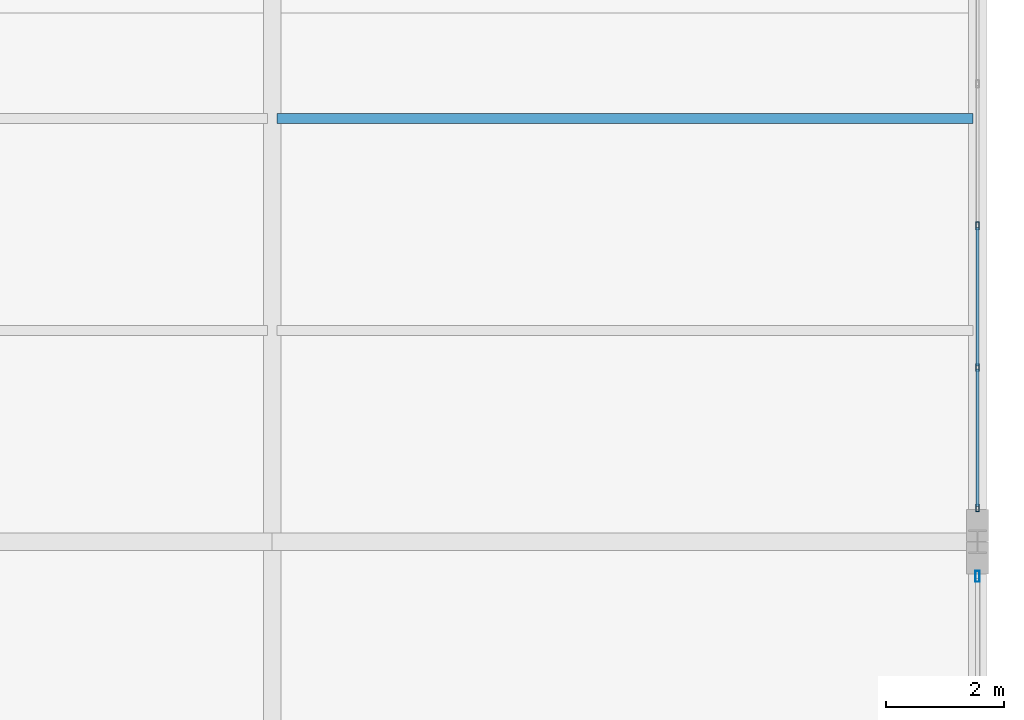
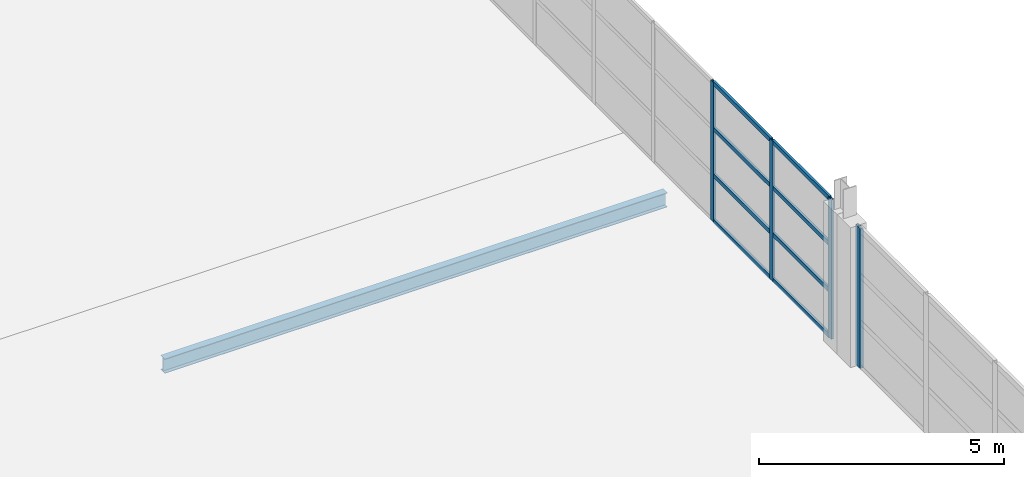
# One storey, part 85 of 158: 12 members, 1 beam, 2 elements without a shape of their own.
"""IFC4 building model written with IfcOpenShell, lengths in metres."""

import ifcopenshell
import ifcopenshell.guid

model = None  # the IFC model being written
_history = None  # IfcOwnerHistory: only IFC2X3 demands one
_inside = {}  # id of a spatial element -> (the spatial element, [elements in it])
_under = {}  # id of a project, library or spatial element -> (it, [spatial elements below it])
_declared = {}  # id of a project -> (the project, [libraries it declares])
_typed = {}  # id of a type object -> (the type object, [elements of that type])
_made_of = {}  # id of a material, layer set ... -> (it, [elements and type objects made of it])


def new_model(schema):
    """Start an empty IFC model of exactly this schema.

    Asked for "IFC4X3", IfcOpenShell would pick the latest addendum, in which some entities
    have other attributes; the version numbers below select the first issue.
    IFC2X3 requires an IfcOwnerHistory on every rooted entity: one is made here for all.
    """
    global model, _history
    if schema == "IFC4X3":
        model = ifcopenshell.file(schema_version=(4, 3, 0, 0))
    else:
        model = ifcopenshell.file(schema=schema)
    _inside.clear()
    _under.clear()
    _declared.clear()
    _typed.clear()
    _made_of.clear()
    _history = None
    if model.schema == "IFC2X3":
        org = make("IfcOrganization", Name="unknown")
        user = make(
            "IfcPersonAndOrganization",
            ThePerson=make("IfcPerson", FamilyName="unknown"),
            TheOrganization=org,
        )
        app = make(
            "IfcApplication",
            ApplicationDeveloper=org,
            Version="unknown",
            ApplicationFullName="unknown",
            ApplicationIdentifier="unknown",
        )
        _history = make(
            "IfcOwnerHistory",
            OwningUser=user,
            OwningApplication=app,
            ChangeAction="ADDED",
            CreationDate=0,
        )
    return model


def make(cls, **values):
    """One entity of the class cls with the attributes given. An attribute that is None is left unset."""
    return model.create_entity(
        cls, **{name: value for name, value in values.items() if value is not None}
    )


def rooted(cls, **values):
    """An entity with a GlobalId (a new one), such as an element, a storey or a relation."""
    return make(cls, GlobalId=ifcopenshell.guid.new(), OwnerHistory=_history, **values)


def si_unit(unit_type, name, prefix=None):
    """IfcSIUnit, for example si_unit("LENGTHUNIT", "METRE", prefix="MILLI")."""
    return make("IfcSIUnit", UnitType=unit_type, Prefix=prefix, Name=name)


def assignment(units):
    """IfcUnitAssignment: the units of a project."""
    return None if units is None else make("IfcUnitAssignment", Units=units)


def point(xyz):
    """IfcCartesianPoint."""
    return None if xyz is None else make("IfcCartesianPoint", Coordinates=xyz)


def direction(xyz):
    """IfcDirection."""
    return None if xyz is None else make("IfcDirection", DirectionRatios=xyz)


def frame(location, z_axis=None, x_axis=None):
    """IfcAxis2Placement3D, a coordinate frame: its origin and axes. An axis left out is left unset."""
    return make(
        "IfcAxis2Placement3D",
        Location=point(location),
        Axis=direction(z_axis),
        RefDirection=direction(x_axis),
    )


def frame_2d(location, x_axis=None):
    """IfcAxis2Placement2D, a coordinate frame in the plane: its origin and x axis."""
    return make(
        "IfcAxis2Placement2D", Location=point(location), RefDirection=direction(x_axis)
    )


def origin():
    """The frame at (0, 0, 0) with its axes left unset."""
    return frame((0.0, 0.0, 0.0))


def origin_2d():
    """The frame at (0, 0) in the plane with its x axis left unset."""
    return frame_2d((0.0, 0.0))


def place(relative_to, where):
    """IfcLocalPlacement: puts the frame where relative to a parent placement (None: the world)."""
    return make(
        "IfcLocalPlacement", PlacementRelTo=relative_to, RelativePlacement=where
    )


def context(
    kind, dimensions, precision=None, world=None, true_north=None, identifier=None
):
    """IfcGeometricRepresentationContext, for example the 3D "Model" context."""
    return make(
        "IfcGeometricRepresentationContext",
        ContextIdentifier=identifier,
        ContextType=kind,
        CoordinateSpaceDimension=dimensions,
        Precision=precision,
        WorldCoordinateSystem=world,
        TrueNorth=true_north,
    )


def subcontext(parent, identifier, kind, view, scale=None):
    """IfcGeometricRepresentationSubContext, for example "Body" below "Model"."""
    return make(
        "IfcGeometricRepresentationSubContext",
        ContextIdentifier=identifier,
        ContextType=kind,
        ParentContext=parent,
        TargetScale=scale,
        TargetView=view,
    )


def project(units=None, contexts=None):
    """IfcProject with its units and contexts."""
    return rooted(
        "IfcProject",
        Name="project",
        RepresentationContexts=contexts,
        UnitsInContext=assignment(units),
    )


def spatial(cls, under=None, at=None, **own):
    """A site, building, storey or space (cls), placed at a placement, below another one or the project."""
    s = rooted(cls, ObjectPlacement=at, **own)
    if under is not None:
        _under.setdefault(under.id(), (under, []))[1].append(s)
    return s


def profile(cls, at=None, kind="AREA", **sizes):
    """A parametric profile (cls). Its sizes go by their IFC names, for example OverallWidth=200.0."""
    return make(cls, ProfileType=kind, Position=at, **sizes)


def hollow_rectangle(**sizes):
    """IfcRectangleHollowProfileDef."""
    return profile("IfcRectangleHollowProfileDef", **sizes)


def i_section(**sizes):
    """IfcIShapeProfileDef."""
    return profile("IfcIShapeProfileDef", **sizes)


def extrude(swept, where, along, depth):
    """IfcExtrudedAreaSolid: the profile swept, set in the frame where, extruded along a direction by depth."""
    return make(
        "IfcExtrudedAreaSolid",
        SweptArea=swept,
        Position=where,
        ExtrudedDirection=direction(along),
        Depth=depth,
    )


def shape(context_of_items, identifier, shape_type, items):
    """IfcShapeRepresentation: the items that make up one representation, for example the "Body"."""
    return make(
        "IfcShapeRepresentation",
        ContextOfItems=context_of_items,
        RepresentationIdentifier=identifier,
        RepresentationType=shape_type,
        Items=items,
    )


def material(Name=None, Category=None):
    """IfcMaterial."""
    return make("IfcMaterial", Name=Name, Category=Category)


def layer(
    of_material, thickness, ventilated=None, Name=None, Category=None, Priority=None
):
    """IfcMaterialLayer: one layer of a wall or slab, of a material (None: an air gap)."""
    return make(
        "IfcMaterialLayer",
        Material=of_material,
        LayerThickness=thickness,
        IsVentilated=ventilated,
        Name=Name,
        Category=Category,
        Priority=Priority,
    )


def layer_set(layers, Name=None):
    """IfcMaterialLayerSet."""
    return make("IfcMaterialLayerSet", MaterialLayers=layers, LayerSetName=Name)


def material_profile(
    of_material, cross_section, Name=None, Category=None, Priority=None
):
    """IfcMaterialProfile: a cross section and its material."""
    return make(
        "IfcMaterialProfile",
        Name=Name,
        Material=of_material,
        Profile=cross_section,
        Priority=Priority,
        Category=Category,
    )


def profile_set(profiles, Name=None, composite=None):
    """IfcMaterialProfileSet."""
    return make(
        "IfcMaterialProfileSet",
        Name=Name,
        MaterialProfiles=profiles,
        CompositeProfile=composite,
    )


def made_of(thing, what):
    """Note that an element or type object is made of a material, layer set ...; save() writes the relation."""
    if what is not None:
        _made_of.setdefault(what.id(), (what, []))[1].append(thing)
    return thing


def type_object(cls, material=None, **own):
    """A type object (cls), such as IfcWallType, which elements share."""
    return made_of(rooted(cls, **own), material)


def element(
    cls,
    number,
    at=None,
    inside=None,
    cuts=None,
    type_object=None,
    material=None,
    context=None,
    identifier="Body",
    shape_type=None,
    held_by="IfcProductDefinitionShape",
    body=None,
    shapes=None,
    **own,
):
    """One element of the class cls, such as IfcWall. Its Tag is "e" and its number.

    at: its placement. inside: the storey or other place that contains it. cuts: it is an
    opening in that element (IfcRelVoidsElement). A single representation is given by context,
    identifier, shape_type and body (its items); several are given by shapes. held_by: the class
    of the entity that holds the representations. save() writes the other relations.
    """
    e = rooted(cls, Tag="e%d" % number, ObjectPlacement=at, **own)
    if body is not None:
        shapes = [shape(context, identifier, shape_type, body)]
    if shapes is not None:
        e.Representation = make(held_by, Representations=shapes)
    if inside is not None:
        _inside.setdefault(inside.id(), (inside, []))[1].append(e)
    if cuts is not None:
        rooted(
            "IfcRelVoidsElement", RelatingBuildingElement=cuts, RelatedOpeningElement=e
        )
    if type_object is not None:
        _typed.setdefault(type_object.id(), (type_object, []))[1].append(e)
    return made_of(e, material)


def aggregate(whole, parts):
    """IfcRelAggregates: a whole, such as a stair, and the parts it consists of."""
    return rooted("IfcRelAggregates", RelatingObject=whole, RelatedObjects=parts)


def save(model, path):
    """Write the relations noted so far, then the file.

    IfcRelAggregates (storeys below a building ...), IfcRelContainedInSpatialStructure (elements
    in a storey), IfcRelDefinesByType, IfcRelAssociatesMaterial and IfcRelDeclares: one each for
    every whole, place, type object, material and project.
    """
    for whole, parts in _under.values():
        aggregate(whole, parts)
    for where, things in _inside.values():
        rooted(
            "IfcRelContainedInSpatialStructure",
            RelatedElements=things,
            RelatingStructure=where,
        )
    for kind, things in _typed.values():
        rooted("IfcRelDefinesByType", RelatedObjects=things, RelatingType=kind)
    for what, things in _made_of.values():
        rooted("IfcRelAssociatesMaterial", RelatedObjects=things, RelatingMaterial=what)
    for by, libraries in _declared.values():
        rooted("IfcRelDeclares", RelatingContext=by, RelatedDefinitions=libraries)
    model.write(path)


model = new_model("IFC4")

# Units and contexts
model_context = context("Model", 3, precision=1e-05, world=origin(), true_north=direction((0.0, 1.0)))
body_context = subcontext(model_context, "Body", "Model", "MODEL_VIEW")
ifc_project = project(units=[si_unit("LENGTHUNIT", "METRE"), si_unit("AREAUNIT", "SQUARE_METRE"), si_unit("VOLUMEUNIT", "CUBIC_METRE"), si_unit("PLANEANGLEUNIT", "RADIAN"), si_unit("MASSUNIT", "GRAM", prefix="KILO")], contexts=[model_context])

# Site, building, storey
site_placement = place(None, origin())
site = spatial("IfcSite", under=ifc_project, at=site_placement, CompositionType="ELEMENT")
building_placement = place(site_placement, origin())
building = spatial("IfcBuilding", under=site, at=building_placement, Name="Zilviju Railside Exhibition Hall", CompositionType="ELEMENT")
storey_placement = place(building_placement, frame((0.0, 0.0, 4.199951171875)))
storey = spatial("IfcBuildingStorey", under=building, at=storey_placement, Name="L02", CompositionType="ELEMENT", Elevation=4.199951171875)

# Beam
ifc_material_1 = material(Name="Steel S355J2", Category="steel")
ifc_material_profile_1 = material_profile(ifc_material_1, i_section(OverallWidth=0.169921875, OverallDepth=0.360107421875, WebThickness=0.008056640625, FlangeThickness=0.0126953125, at=origin_2d()), Name="IPE 360")
ifc_profile_set_1 = profile_set([ifc_material_profile_1], Name="Steel S355J2")
beam_type = type_object("IfcBeamType", Name="BM-IPE360", PredefinedType="JOIST", material=ifc_profile_set_1)
beam_placement = place(storey_placement, frame((204.080078125, 25.199951171875, -0.510009765625), z_axis=(1.0, 0.0, 0.0), x_axis=(0.0, 1.0, 0.0)))
element("IfcBeam", 1, at=beam_placement, inside=storey, type_object=beam_type, Name="Composite Floor Joist L02 Y=25.20 (204.0..216.0)", PredefinedType="JOIST", context=body_context, shape_type="SweptSolid", body=[
    extrude(i_section(OverallWidth=0.169921875, OverallDepth=0.360107421875, WebThickness=0.008056640625, FlangeThickness=0.0126953125, at=origin_2d()), origin(), (0.0, 0.0, 1.0), 11.83984375),
])

# Curtain wall, members
ifc_material_2 = material(Name="Thermally broken aluminium-steel triple-glazed curtain wall", Category="steel")
ifc_layer_1 = layer(ifc_material_2, 0.179931640625)
ifc_layer_set_1 = layer_set([ifc_layer_1], Name="Thermally broken aluminium-steel triple-glazed curtain wall")
curtain_wall_type_1 = type_object("IfcCurtainWallType", Name="CW-BAY-10", PredefinedType="USERDEFINED", material=ifc_layer_set_1)
curtain_wall_1_placement = place(storey_placement, origin())
curtain_wall_1 = element("IfcCurtainWall", 2, at=curtain_wall_1_placement, inside=storey, type_object=curtain_wall_type_1, Name="South Hall East Glazed Gable L02 (18..36)", ObjectType="GLAZED CURTAIN WALL", PredefinedType="USERDEFINED")
ifc_material_3 = material(Name="Thermally broken anodized aluminium mullion", Category="aluminium")
ifc_material_profile_2 = material_profile(ifc_material_3, hollow_rectangle(XDim=0.054931640625, YDim=0.1298828125, WallThickness=0.0048828125, at=origin_2d()), Name="MULLION 130x55x5")
ifc_profile_set_2 = profile_set([ifc_material_profile_2], Name="Thermally broken anodized aluminium mullion")
member_type_1 = type_object("IfcMemberType", Name="CWM-55x130", PredefinedType="MULLION", material=ifc_profile_set_2)
member_1_placement = place(storey_placement, frame((216.0, 23.378662109375, 0.0), z_axis=(0.0, 0.0, 1.0), x_axis=(1.0, 0.0, 0.0)))
member_1 = element("IfcMember", 3, at=member_1_placement, type_object=member_type_1, Name="CW-10 mullion 6", PredefinedType="MULLION", context=body_context, shape_type="SweptSolid", body=[
    extrude(hollow_rectangle(XDim=0.054931640625, YDim=0.1298828125, WallThickness=0.0048828125, at=origin_2d()), origin(), (0.0, 0.0, 1.0), 3.47998046875),
])
member_2_placement = place(storey_placement, frame((216.0, 20.96435546875, 0.0), z_axis=(0.0, 0.0, 1.0), x_axis=(1.0, 0.0, 0.0)))
member_2 = element("IfcMember", 4, at=member_2_placement, type_object=member_type_1, Name="CW-10 mullion 7", PredefinedType="MULLION", context=body_context, shape_type="SweptSolid", body=[
    extrude(hollow_rectangle(XDim=0.054931640625, YDim=0.1298828125, WallThickness=0.0048828125, at=origin_2d()), origin(), (0.0, 0.0, 1.0), 3.47998046875),
])
member_3_placement = place(storey_placement, frame((216.0, 18.577392578125, 0.0), z_axis=(0.0, 0.0, 1.0), x_axis=(1.0, 0.0, 0.0)))
member_3 = element("IfcMember", 5, at=member_3_placement, type_object=member_type_1, Name="CW-10 mullion 8", PredefinedType="MULLION", context=body_context, shape_type="SweptSolid", body=[
    extrude(hollow_rectangle(XDim=0.054931640625, YDim=0.1298828125, WallThickness=0.0048828125, at=origin_2d()), origin(), (0.0, 0.0, 1.0), 3.47998046875),
])

# Curtain wall, member
ifc_layer_2 = layer(ifc_material_2, 0.179931640625)
ifc_layer_set_2 = layer_set([ifc_layer_2], Name="Thermally broken aluminium-steel triple-glazed curtain wall")
curtain_wall_type_2 = type_object("IfcCurtainWallType", Name="CW-BAY-09", PredefinedType="USERDEFINED", material=ifc_layer_set_2)
curtain_wall_2_placement = place(storey_placement, origin())
curtain_wall_2 = element("IfcCurtainWall", 6, at=curtain_wall_2_placement, inside=storey, type_object=curtain_wall_type_2, Name="South Hall East Glazed Gable L02 (0..18)", ObjectType="GLAZED CURTAIN WALL", PredefinedType="USERDEFINED")
ifc_material_profile_3 = material_profile(ifc_material_3, hollow_rectangle(XDim=0.074951171875, YDim=0.18994140625, WallThickness=0.0048828125, at=origin_2d()), Name="MULLION 190x75x5")
ifc_profile_set_3 = profile_set([ifc_material_profile_3], Name="Thermally broken anodized aluminium mullion")
member_type_2 = type_object("IfcMemberType", Name="CWM-75x190", PredefinedType="MULLION", material=ifc_profile_set_3)
member_4_placement = place(storey_placement, frame((216.0, 17.41259765625, 0.0), z_axis=(0.0, 0.0, 1.0), x_axis=(1.0, 0.0, 0.0)))
member_4 = element("IfcMember", 7, at=member_4_placement, type_object=member_type_2, Name="CW-09 mullion 1", PredefinedType="MULLION", context=body_context, shape_type="SweptSolid", body=[
    extrude(hollow_rectangle(XDim=0.074951171875, YDim=0.18994140625, WallThickness=0.0048828125, at=origin_2d()), origin(), (0.0, 0.0, 1.0), 3.47998046875),
])
aggregate(curtain_wall_2, [member_4])

# Member
ifc_material_4 = material(Name="Thermally broken anodized aluminium transom", Category="aluminium")
ifc_material_profile_4 = material_profile(ifc_material_4, hollow_rectangle(XDim=0.054931640625, YDim=0.10498046875, WallThickness=0.0048828125, at=origin_2d()), Name="TRANSOM 105x55x5")
ifc_profile_set_4 = profile_set([ifc_material_profile_4], Name="Thermally broken anodized aluminium transom")
member_type_3 = type_object("IfcMemberType", Name="CWT-55x105", PredefinedType="USERDEFINED", material=ifc_profile_set_4)
member_5_placement = place(storey_placement, frame((216.0, 23.35107421875, 0.027587890625), z_axis=(0.0, -1.0, 0.0), x_axis=(1.0, 0.0, 0.0)))
member_5 = element("IfcMember", 8, at=member_5_placement, type_object=member_type_3, Name="CW-10 transom 6.1", ObjectType="TRANSOM", PredefinedType="USERDEFINED", context=body_context, shape_type="SweptSolid", body=[
    extrude(hollow_rectangle(XDim=0.054931640625, YDim=0.10498046875, WallThickness=0.0048828125, at=origin_2d()), origin(), (0.0, 0.0, 1.0), 2.359375),
])

member_6_placement = place(storey_placement, frame((216.0, 23.35107421875, 1.16015625), z_axis=(0.0, -1.0, 0.0), x_axis=(1.0, 0.0, 0.0)))
member_6 = element("IfcMember", 9, at=member_6_placement, type_object=member_type_3, Name="CW-10 transom 6.2", ObjectType="TRANSOM", PredefinedType="USERDEFINED", context=body_context, shape_type="SweptSolid", body=[
    extrude(hollow_rectangle(XDim=0.054931640625, YDim=0.10498046875, WallThickness=0.0048828125, at=origin_2d()), origin(), (0.0, 0.0, 1.0), 2.359375),
])

member_7_placement = place(storey_placement, frame((216.0, 23.35107421875, 2.320068359375), z_axis=(0.0, -1.0, 0.0), x_axis=(1.0, 0.0, 0.0)))
member_7 = element("IfcMember", 10, at=member_7_placement, type_object=member_type_3, Name="CW-10 transom 6.3", ObjectType="TRANSOM", PredefinedType="USERDEFINED", context=body_context, shape_type="SweptSolid", body=[
    extrude(hollow_rectangle(XDim=0.054931640625, YDim=0.10498046875, WallThickness=0.0048828125, at=origin_2d()), origin(), (0.0, 0.0, 1.0), 2.359375),
])

member_8_placement = place(storey_placement, frame((216.0, 23.35107421875, 3.45263671875), z_axis=(0.0, -1.0, 0.0), x_axis=(1.0, 0.0, 0.0)))
member_8 = element("IfcMember", 11, at=member_8_placement, type_object=member_type_3, Name="CW-10 transom 6.4", ObjectType="TRANSOM", PredefinedType="USERDEFINED", context=body_context, shape_type="SweptSolid", body=[
    extrude(hollow_rectangle(XDim=0.054931640625, YDim=0.10498046875, WallThickness=0.0048828125, at=origin_2d()), origin(), (0.0, 0.0, 1.0), 2.359375),
])

member_9_placement = place(storey_placement, frame((216.0, 20.936767578125, 0.027587890625), z_axis=(0.0, -1.0, 0.0), x_axis=(1.0, 0.0, 0.0)))
member_9 = element("IfcMember", 12, at=member_9_placement, type_object=member_type_3, Name="CW-10 transom 7.1", ObjectType="TRANSOM", PredefinedType="USERDEFINED", context=body_context, shape_type="SweptSolid", body=[
    extrude(hollow_rectangle(XDim=0.054931640625, YDim=0.10498046875, WallThickness=0.0048828125, at=origin_2d()), origin(), (0.0, 0.0, 1.0), 2.331787109375),
])

member_10_placement = place(storey_placement, frame((216.0, 20.936767578125, 1.16015625), z_axis=(0.0, -1.0, 0.0), x_axis=(1.0, 0.0, 0.0)))
member_10 = element("IfcMember", 13, at=member_10_placement, type_object=member_type_3, Name="CW-10 transom 7.2", ObjectType="TRANSOM", PredefinedType="USERDEFINED", context=body_context, shape_type="SweptSolid", body=[
    extrude(hollow_rectangle(XDim=0.054931640625, YDim=0.10498046875, WallThickness=0.0048828125, at=origin_2d()), origin(), (0.0, 0.0, 1.0), 2.331787109375),
])

member_11_placement = place(storey_placement, frame((216.0, 20.936767578125, 2.320068359375), z_axis=(0.0, -1.0, 0.0), x_axis=(1.0, 0.0, 0.0)))
member_11 = element("IfcMember", 14, at=member_11_placement, type_object=member_type_3, Name="CW-10 transom 7.3", ObjectType="TRANSOM", PredefinedType="USERDEFINED", context=body_context, shape_type="SweptSolid", body=[
    extrude(hollow_rectangle(XDim=0.054931640625, YDim=0.10498046875, WallThickness=0.0048828125, at=origin_2d()), origin(), (0.0, 0.0, 1.0), 2.331787109375),
])

member_12_placement = place(storey_placement, frame((216.0, 20.936767578125, 3.45263671875), z_axis=(0.0, -1.0, 0.0), x_axis=(1.0, 0.0, 0.0)))
member_12 = element("IfcMember", 15, at=member_12_placement, type_object=member_type_3, Name="CW-10 transom 7.4", ObjectType="TRANSOM", PredefinedType="USERDEFINED", context=body_context, shape_type="SweptSolid", body=[
    extrude(hollow_rectangle(XDim=0.054931640625, YDim=0.10498046875, WallThickness=0.0048828125, at=origin_2d()), origin(), (0.0, 0.0, 1.0), 2.331787109375),
])

aggregate(curtain_wall_1, [member_1, member_2, member_3, member_5, member_6, member_7, member_8, member_9, member_10, member_11, member_12])

save(model, "model.ifc")
